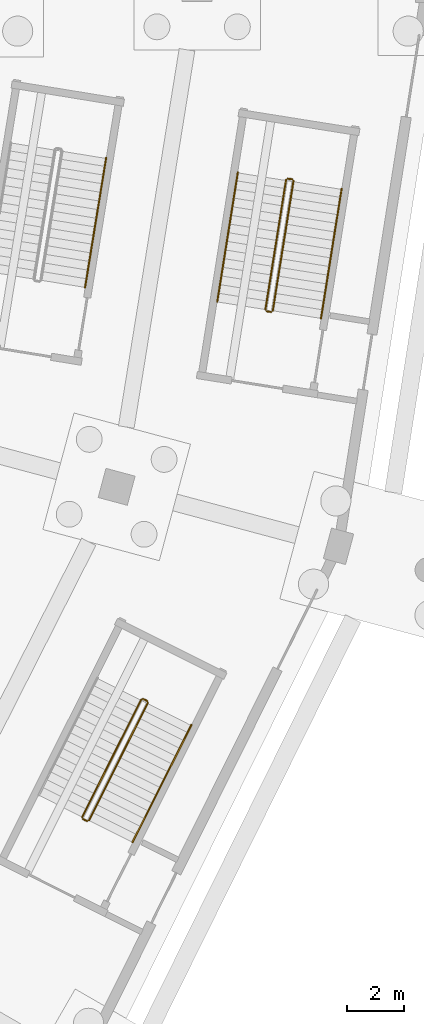
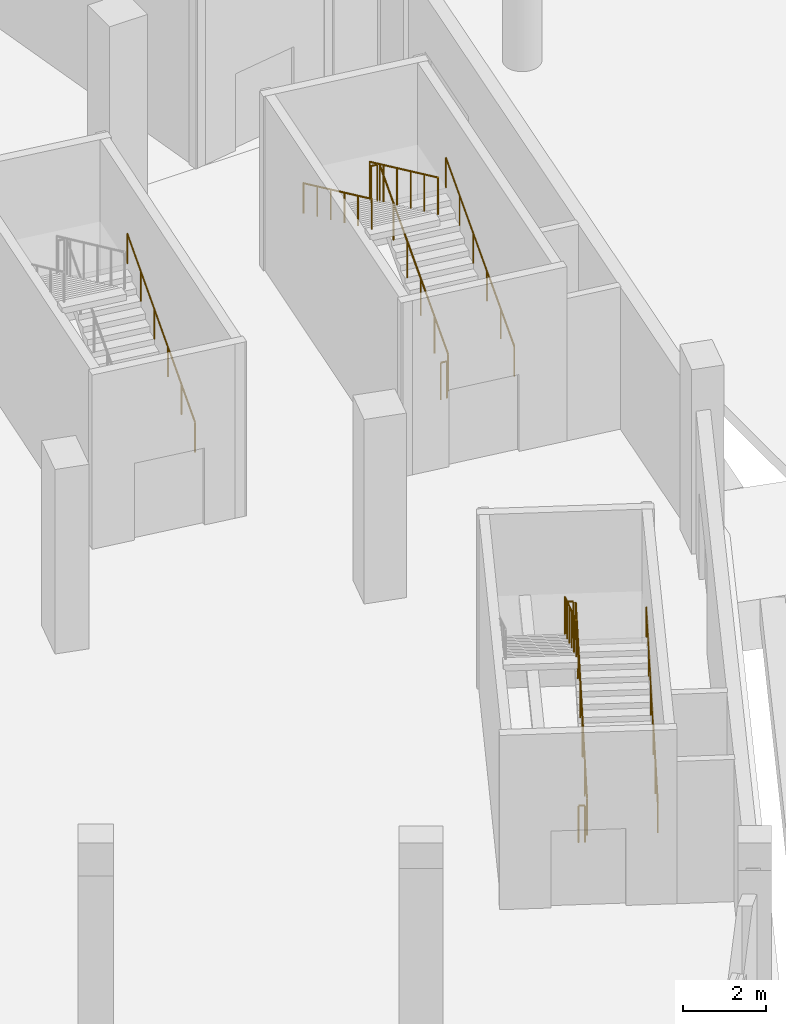
# One storey, part 80 of 103: 12 railings.
"""IFC4 building model written with IfcOpenShell, lengths in metres."""

from ifc_helpers import new_model, si_unit, direction, frame, origin, origin_2d, place, context, subcontext, project, spatial, circle, extrude, material, type_object, element, save


model = new_model("IFC4")

# Units and contexts
model_context = context("Model", 3, precision=1e-05, world=origin(), true_north=direction((0.0, 1.0)))
body_context = subcontext(model_context, "Body", "Model", "MODEL_VIEW")
ifc_project = project(units=[si_unit("LENGTHUNIT", "METRE"), si_unit("AREAUNIT", "SQUARE_METRE"), si_unit("VOLUMEUNIT", "CUBIC_METRE"), si_unit("PLANEANGLEUNIT", "RADIAN"), si_unit("MASSUNIT", "GRAM", prefix="KILO")], contexts=[model_context])

# Site, building, storey
site_placement = place(None, origin())
site = spatial("IfcSite", under=ifc_project, at=site_placement, CompositionType="ELEMENT")
building_placement = place(site_placement, origin())
building = spatial("IfcBuilding", under=site, at=building_placement, Name="Zevraka Park Crest Stadium", CompositionType="ELEMENT")
storey_placement = place(building_placement, origin())
storey = spatial("IfcBuildingStorey", under=building, at=storey_placement, Name="L00", CompositionType="ELEMENT", Elevation=0.0)

# Railings
ifc_material_1 = material(Name="Powder-coated tubular steel stairwell guard", Category="steel")
railing_type_1 = type_object("IfcRailingType", Name="GR03", PredefinedType="GUARDRAIL", material=ifc_material_1)
railing_1_placement = place(storey_placement, frame((190.5322265625, 62.965087890625, 0.168701171875)))
element("IfcRailing", 1, at=railing_1_placement, inside=storey, type_object=railing_type_1, Name="L00 ST23 stair guard 1", PredefinedType="GUARDRAIL", context=body_context, shape_type="SweptSolid", body=[
    extrude(circle(Radius=0.02392578125, at=origin_2d()), frame((0.0, 0.0, 1.076171875), z_axis=(0.391907807358, 0.782321387403, 0.484129649313), x_axis=(-0.89408539104, 0.447896543333, 0.0)), (0.0, 0.0, 1.0), 5.228515625),
    extrude(circle(Radius=0.02099609375, at=origin_2d()), origin(), (0.0, 0.0, 1.0), 1.052001953125),
    extrude(circle(Radius=0.02099609375, at=origin_2d()), frame((0.409912109375, 0.818115234375, 0.50634765625)), (0.0, 0.0, 1.0), 1.052001953125),
    extrude(circle(Radius=0.02099609375, at=origin_2d()), frame((0.819580078125, 1.63623046875, 1.012451171875)), (0.0, 0.0, 1.0), 1.052001953125),
    extrude(circle(Radius=0.02099609375, at=origin_2d()), frame((1.2294921875, 2.4541015625, 1.518798828125)), (0.0, 0.0, 1.0), 1.052001953125),
    extrude(circle(Radius=0.02099609375, at=origin_2d()), frame((1.63916015625, 3.272216796875, 2.02490234375)), (0.0, 0.0, 1.0), 1.052001953125),
    extrude(circle(Radius=0.02099609375, at=origin_2d()), frame((2.049072265625, 4.09033203125, 2.53125)), (0.0, 0.0, 1.0), 1.052001953125),
])
railing_2_placement = place(storey_placement, frame((192.55908203125, 67.12255859375, 2.699951171875)))
element("IfcRailing", 2, at=railing_2_placement, inside=storey, type_object=railing_type_1, Name="L00 ST23 stair guard 2", PredefinedType="GUARDRAIL", context=body_context, shape_type="SweptSolid", body=[
    extrude(circle(Radius=0.02392578125, at=origin_2d()), frame((0.0, 0.0, 1.076171875), z_axis=(-0.894427191, 0.4472135955, 0.0), x_axis=(-0.4472135955, -0.894427191, 0.0)), (0.0, 0.0, 1.0), 0.159912109375),
    extrude(circle(Radius=0.02099609375, at=origin_2d()), origin(), (0.0, 0.0, 1.0), 1.052001953125),
    extrude(circle(Radius=0.02099609375, at=origin_2d()), frame((-0.14306640625, 0.071533203125, 0.0)), (0.0, 0.0, 1.0), 1.052001953125),
])
railing_3_placement = place(storey_placement, frame((192.348876953125, 67.171875, 2.86865234375)))
element("IfcRailing", 3, at=railing_3_placement, inside=storey, type_object=railing_type_1, Name="L00 ST23 stair guard 3", PredefinedType="GUARDRAIL", context=body_context, shape_type="SweptSolid", body=[
    extrude(circle(Radius=0.02392578125, at=origin_2d()), frame((0.0, 0.0, 1.076171875), z_axis=(-0.391907807358, -0.782321387403, 0.484129649313), x_axis=(0.89408539104, -0.447896543333, 0.0)), (0.0, 0.0, 1.0), 5.228515625),
    extrude(circle(Radius=0.02099609375, at=origin_2d()), origin(), (0.0, 0.0, 1.0), 1.052001953125),
    extrude(circle(Radius=0.02099609375, at=origin_2d()), frame((-0.409912109375, -0.818115234375, 0.50634765625)), (0.0, 0.0, 1.0), 1.052001953125),
    extrude(circle(Radius=0.02099609375, at=origin_2d()), frame((-0.819580078125, -1.63623046875, 1.012451171875)), (0.0, 0.0, 1.0), 1.052001953125),
    extrude(circle(Radius=0.02099609375, at=origin_2d()), frame((-1.2294921875, -2.4541015625, 1.518798828125)), (0.0, 0.0, 1.0), 1.052001953125),
    extrude(circle(Radius=0.02099609375, at=origin_2d()), frame((-1.63916015625, -3.272216796875, 2.02490234375)), (0.0, 0.0, 1.0), 1.052001953125),
    extrude(circle(Radius=0.02099609375, at=origin_2d()), frame((-2.049072265625, -4.09033203125, 2.53125)), (0.0, 0.0, 1.0), 1.052001953125),
])
railing_4_placement = place(storey_placement, frame((190.465087890625, 62.942626953125, 0.0)))
element("IfcRailing", 4, at=railing_4_placement, inside=storey, type_object=railing_type_1, Name="L00 ST23 stair guard 4", PredefinedType="GUARDRAIL", context=body_context, shape_type="SweptSolid", body=[
    extrude(circle(Radius=0.02392578125, at=origin_2d()), frame((0.0, 0.0, 1.076171875), z_axis=(-0.893816245171, 0.44843340628, 0.0), x_axis=(-0.44843340628, -0.893816245171, 0.0)), (0.0, 0.0, 1.0), 0.16015625),
    extrude(circle(Radius=0.02099609375, at=origin_2d()), origin(), (0.0, 0.0, 1.0), 1.052001953125),
    extrude(circle(Radius=0.02099609375, at=origin_2d()), frame((-0.14306640625, 0.07177734375, 0.0)), (0.0, 0.0, 1.0), 1.052001953125),
])
railing_5_placement = place(storey_placement, frame((196.933837890625, 80.714111328125, 0.168701171875)))
element("IfcRailing", 5, at=railing_5_placement, inside=storey, type_object=railing_type_1, Name="L00 ST24 stair guard 1", PredefinedType="GUARDRAIL", context=body_context, shape_type="SweptSolid", body=[
    extrude(circle(Radius=0.02392578125, at=origin_2d()), frame((0.0, 0.0, 1.076171875), z_axis=(0.137606314293, 0.864113489075, 0.484120212619), x_axis=(-0.987556583672, 0.157264090137, 0.0)), (0.0, 0.0, 1.0), 5.228515625),
    extrude(circle(Radius=0.02099609375, at=origin_2d()), origin(), (0.0, 0.0, 1.0), 1.052001953125),
    extrude(circle(Radius=0.02099609375, at=origin_2d()), frame((0.143798828125, 0.903564453125, 0.50634765625)), (0.0, 0.0, 1.0), 1.052001953125),
    extrude(circle(Radius=0.02099609375, at=origin_2d()), frame((0.287841796875, 1.80712890625, 1.012451171875)), (0.0, 0.0, 1.0), 1.052001953125),
    extrude(circle(Radius=0.02099609375, at=origin_2d()), frame((0.431640625, 2.7109375, 1.518798828125)), (0.0, 0.0, 1.0), 1.052001953125),
    extrude(circle(Radius=0.02099609375, at=origin_2d()), frame((0.57568359375, 3.614501953125, 2.02490234375)), (0.0, 0.0, 1.0), 1.052001953125),
    extrude(circle(Radius=0.02099609375, at=origin_2d()), frame((0.719482421875, 4.51806640625, 2.53125)), (0.0, 0.0, 1.0), 1.052001953125),
])
railing_6_placement = place(storey_placement, frame((197.61181640625, 85.289306640625, 2.699951171875)))
element("IfcRailing", 6, at=railing_6_placement, inside=storey, type_object=railing_type_1, Name="L00 ST24 stair guard 2", PredefinedType="GUARDRAIL", context=body_context, shape_type="SweptSolid", body=[
    extrude(circle(Radius=0.02392578125, at=origin_2d()), frame((0.0, 0.0, 1.076171875), z_axis=(-0.987326101707, 0.158704659316, 0.0), x_axis=(-0.158704659316, -0.987326101707, 0.0)), (0.0, 0.0, 1.0), 0.159912109375),
    extrude(circle(Radius=0.02099609375, at=origin_2d()), origin(), (0.0, 0.0, 1.0), 1.052001953125),
    extrude(circle(Radius=0.02099609375, at=origin_2d()), frame((-0.157958984375, 0.025390625, 0.0)), (0.0, 0.0, 1.0), 1.052001953125),
])
railing_7_placement = place(storey_placement, frame((197.396728515625, 85.27294921875, 2.86865234375)))
element("IfcRailing", 7, at=railing_7_placement, inside=storey, type_object=railing_type_1, Name="L00 ST24 stair guard 3", PredefinedType="GUARDRAIL", context=body_context, shape_type="SweptSolid", body=[
    extrude(circle(Radius=0.02392578125, at=origin_2d()), frame((0.0, 0.0, 1.076171875), z_axis=(-0.137606314293, -0.864113489075, 0.484120212619), x_axis=(0.987556583672, -0.157264090137, 0.0)), (0.0, 0.0, 1.0), 5.228515625),
    extrude(circle(Radius=0.02099609375, at=origin_2d()), origin(), (0.0, 0.0, 1.0), 1.052001953125),
    extrude(circle(Radius=0.02099609375, at=origin_2d()), frame((-0.143798828125, -0.903564453125, 0.50634765625)), (0.0, 0.0, 1.0), 1.052001953125),
    extrude(circle(Radius=0.02099609375, at=origin_2d()), frame((-0.287841796875, -1.80712890625, 1.012451171875)), (0.0, 0.0, 1.0), 1.052001953125),
    extrude(circle(Radius=0.02099609375, at=origin_2d()), frame((-0.431640625, -2.7109375, 1.518798828125)), (0.0, 0.0, 1.0), 1.052001953125),
    extrude(circle(Radius=0.02099609375, at=origin_2d()), frame((-0.57568359375, -3.614501953125, 2.02490234375)), (0.0, 0.0, 1.0), 1.052001953125),
    extrude(circle(Radius=0.02099609375, at=origin_2d()), frame((-0.719482421875, -4.51806640625, 2.53125)), (0.0, 0.0, 1.0), 1.052001953125),
])
railing_8_placement = place(storey_placement, frame((196.876708984375, 80.672607421875, 0.0)))
element("IfcRailing", 8, at=railing_8_placement, inside=storey, type_object=railing_type_1, Name="L00 ST24 stair guard 4", PredefinedType="GUARDRAIL", context=body_context, shape_type="SweptSolid", body=[
    extrude(circle(Radius=0.02392578125, at=origin_2d()), frame((0.0, 0.0, 1.076171875), z_axis=(-0.987564153079, 0.157216549872, 0.0), x_axis=(-0.157216549872, -0.987564153079, 0.0)), (0.0, 0.0, 1.0), 0.159912109375),
    extrude(circle(Radius=0.02099609375, at=origin_2d()), origin(), (0.0, 0.0, 1.0), 1.052001953125),
    extrude(circle(Radius=0.02099609375, at=origin_2d()), frame((-0.157958984375, 0.025146484375, 0.0)), (0.0, 0.0, 1.0), 1.052001953125),
])
ifc_material_2 = material(Name="Brushed stainless steel continuous handrail", Category="steel")
railing_type_2 = type_object("IfcRailingType", Name="HR01", PredefinedType="HANDRAIL", material=ifc_material_2)
railing_9_placement = place(storey_placement, frame((192.052001953125, 62.20361328125, 0.168701171875)))
element("IfcRailing", 9, at=railing_9_placement, inside=storey, type_object=railing_type_2, Name="L00 ST23 stair handrail 1", PredefinedType="HANDRAIL", context=body_context, shape_type="SweptSolid", body=[
    extrude(circle(Radius=0.02392578125, at=origin_2d()), frame((0.0, 0.0, 0.8759765625), z_axis=(0.391947328971, 0.782307070478, 0.484120789466), x_axis=(-0.894064019909, 0.447939201571, 0.0)), (0.0, 0.0, 1.0), 5.228515625),
    extrude(circle(Radius=0.02099609375, at=origin_2d()), origin(), (0.0, 0.0, 1.0), 0.851806640625),
    extrude(circle(Radius=0.02099609375, at=origin_2d()), frame((0.409912109375, 0.818115234375, 0.50634765625)), (0.0, 0.0, 1.0), 0.851806640625),
    extrude(circle(Radius=0.02099609375, at=origin_2d()), frame((0.81982421875, 1.63623046875, 1.012451171875)), (0.0, 0.0, 1.0), 0.851806640625),
    extrude(circle(Radius=0.02099609375, at=origin_2d()), frame((1.2294921875, 2.4541015625, 1.518798828125)), (0.0, 0.0, 1.0), 0.851806640625),
    extrude(circle(Radius=0.02099609375, at=origin_2d()), frame((1.639404296875, 3.272216796875, 2.02490234375)), (0.0, 0.0, 1.0), 0.851806640625),
    extrude(circle(Radius=0.02099609375, at=origin_2d()), frame((2.04931640625, 4.09033203125, 2.53125)), (0.0, 0.0, 1.0), 0.851806640625),
])
railing_10_placement = place(storey_placement, frame((198.61279296875, 80.44677734375, 0.168701171875)))
element("IfcRailing", 10, at=railing_10_placement, inside=storey, type_object=railing_type_2, Name="L00 ST24 stair handrail 1", PredefinedType="HANDRAIL", context=body_context, shape_type="SweptSolid", body=[
    extrude(circle(Radius=0.02392578125, at=origin_2d()), frame((0.0, 0.0, 0.8759765625), z_axis=(0.137606314293, 0.864113489075, 0.484120212619), x_axis=(-0.987556583672, 0.157264090137, 0.0)), (0.0, 0.0, 1.0), 5.228515625),
    extrude(circle(Radius=0.02099609375, at=origin_2d()), origin(), (0.0, 0.0, 1.0), 0.851806640625),
    extrude(circle(Radius=0.02099609375, at=origin_2d()), frame((0.143798828125, 0.903564453125, 0.50634765625)), (0.0, 0.0, 1.0), 0.851806640625),
    extrude(circle(Radius=0.02099609375, at=origin_2d()), frame((0.287841796875, 1.80712890625, 1.012451171875)), (0.0, 0.0, 1.0), 0.851806640625),
    extrude(circle(Radius=0.02099609375, at=origin_2d()), frame((0.431640625, 2.7109375, 1.518798828125)), (0.0, 0.0, 1.0), 0.851806640625),
    extrude(circle(Radius=0.02099609375, at=origin_2d()), frame((0.57568359375, 3.614501953125, 2.02490234375)), (0.0, 0.0, 1.0), 0.851806640625),
    extrude(circle(Radius=0.02099609375, at=origin_2d()), frame((0.719482421875, 4.51806640625, 2.53125)), (0.0, 0.0, 1.0), 0.851806640625),
])
railing_11_placement = place(storey_placement, frame((195.7177734375, 85.54052734375, 2.86865234375)))
element("IfcRailing", 11, at=railing_11_placement, inside=storey, type_object=railing_type_2, Name="L00 ST24 stair handrail 2", PredefinedType="HANDRAIL", context=body_context, shape_type="SweptSolid", body=[
    extrude(circle(Radius=0.02392578125, at=origin_2d()), frame((0.0, 0.0, 0.8759765625), z_axis=(-0.13760076225, -0.864125316239, 0.484100679676), x_axis=(0.987557903369, -0.157255802736, 0.0)), (0.0, 0.0, 1.0), 5.228759765625),
    extrude(circle(Radius=0.02099609375, at=origin_2d()), origin(), (0.0, 0.0, 1.0), 0.851806640625),
    extrude(circle(Radius=0.02099609375, at=origin_2d()), frame((-0.143798828125, -0.903564453125, 0.50634765625)), (0.0, 0.0, 1.0), 0.851806640625),
    extrude(circle(Radius=0.02099609375, at=origin_2d()), frame((-0.287841796875, -1.807373046875, 1.012451171875)), (0.0, 0.0, 1.0), 0.851806640625),
    extrude(circle(Radius=0.02099609375, at=origin_2d()), frame((-0.431640625, -2.7109375, 1.518798828125)), (0.0, 0.0, 1.0), 0.851806640625),
    extrude(circle(Radius=0.02099609375, at=origin_2d()), frame((-0.57568359375, -3.61474609375, 2.02490234375)), (0.0, 0.0, 1.0), 0.851806640625),
    extrude(circle(Radius=0.02099609375, at=origin_2d()), frame((-0.719482421875, -4.518310546875, 2.53125)), (0.0, 0.0, 1.0), 0.851806640625),
])
railing_12_placement = place(storey_placement, frame((190.396484375, 81.526123046875, 0.168701171875)))
element("IfcRailing", 12, at=railing_12_placement, inside=storey, type_object=railing_type_2, Name="L00 ST44 stair handrail 1", PredefinedType="HANDRAIL", context=body_context, shape_type="SweptSolid", body=[
    extrude(circle(Radius=0.02392578125, at=origin_2d()), frame((0.0, 0.0, 0.8759765625), z_axis=(0.140592979981, 0.863635920866, 0.484114253219), x_axis=(-0.987007073121, 0.160676811049, 0.0)), (0.0, 0.0, 1.0), 5.228515625),
    extrude(circle(Radius=0.02099609375, at=origin_2d()), origin(), (0.0, 0.0, 1.0), 0.851806640625),
    extrude(circle(Radius=0.02099609375, at=origin_2d()), frame((0.14697265625, 0.903076171875, 0.50634765625)), (0.0, 0.0, 1.0), 0.851806640625),
    extrude(circle(Radius=0.02099609375, at=origin_2d()), frame((0.2939453125, 1.80615234375, 1.012451171875)), (0.0, 0.0, 1.0), 0.851806640625),
    extrude(circle(Radius=0.02099609375, at=origin_2d()), frame((0.441162109375, 2.70947265625, 1.518798828125)), (0.0, 0.0, 1.0), 0.851806640625),
    extrude(circle(Radius=0.02099609375, at=origin_2d()), frame((0.588134765625, 3.612548828125, 2.02490234375)), (0.0, 0.0, 1.0), 0.851806640625),
    extrude(circle(Radius=0.02099609375, at=origin_2d()), frame((0.735107421875, 4.515625, 2.53125)), (0.0, 0.0, 1.0), 0.851806640625),
])

save(model, "model.ifc")
